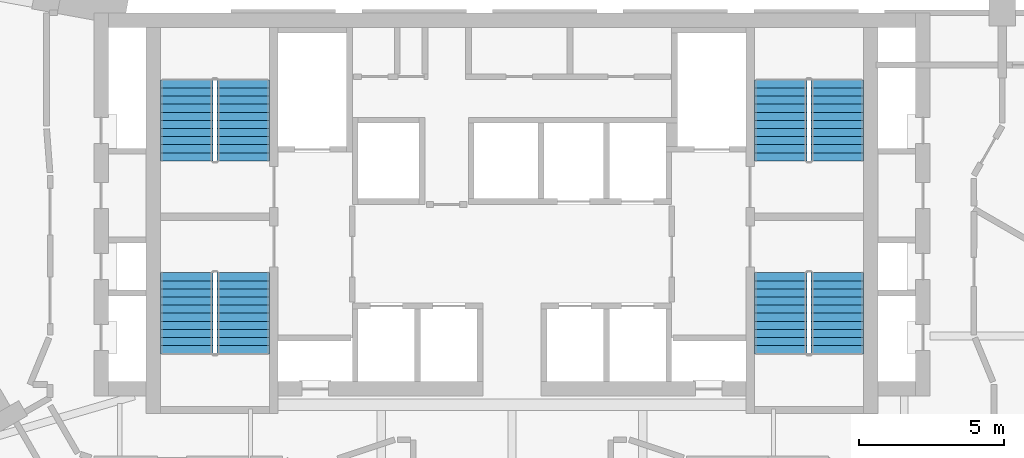
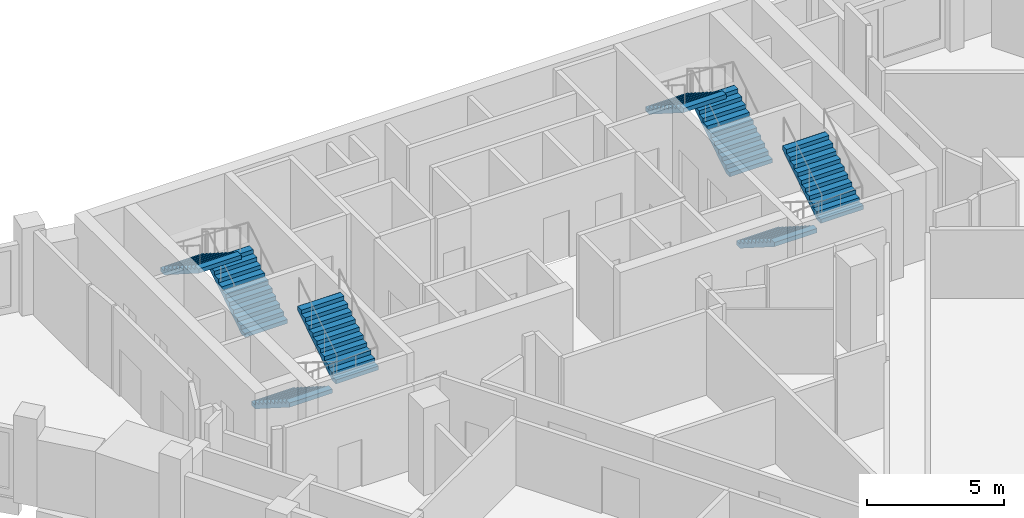
# One storey, part 8 of 9: 8 stair flights, 4 elements without a shape of their own.
"""IFC4 building model written with IfcOpenShell, lengths in metres."""

from ifc_helpers import new_model, si_unit, direction, frame, origin, place, context, subcontext, project, spatial, faceted_brep, source, transform, mapped, material, type_object, element, aggregate, save


model = new_model("IFC4")

# Units and contexts
model_context = context("Model", 3, precision=1e-05, world=origin(), true_north=direction((0.0, 1.0)))
body_context = subcontext(model_context, "Body", "Model", "MODEL_VIEW")
ifc_project = project(units=[si_unit("LENGTHUNIT", "METRE"), si_unit("AREAUNIT", "SQUARE_METRE"), si_unit("VOLUMEUNIT", "CUBIC_METRE"), si_unit("PLANEANGLEUNIT", "RADIAN"), si_unit("MASSUNIT", "GRAM", prefix="KILO")], contexts=[model_context])

# Site, building, storey
site_placement = place(None, origin())
site = spatial("IfcSite", under=ifc_project, at=site_placement, CompositionType="ELEMENT")
building_placement = place(site_placement, origin())
building = spatial("IfcBuilding", under=site, at=building_placement, Name="Calabash Gate Tower", CompositionType="ELEMENT")
storey_placement = place(building_placement, frame((0.0, 0.0, 200.300048828125)))
storey = spatial("IfcBuildingStorey", under=building, at=storey_placement, Name="L47", CompositionType="ELEMENT", Elevation=200.300048828125)

# Stair, stair flights
ifc_material_1 = material(Name="Concrete C40/50", Category="concrete")
stair_type = type_object("IfcStairType", Name="Exit stair 22 risers of 177.3 mm", PredefinedType="HALF_TURN_STAIR", material=ifc_material_1)
stair_1_placement = place(storey_placement, origin())
stair_1 = element("IfcStair", 1, at=stair_1_placement, inside=storey, type_object=stair_type, Name="L47 Exit stair ST1", PredefinedType="HALF_TURN_STAIR")
ifc_material_2 = material(Name="Concrete C40/50", Category="concrete")
stair_flight_type = type_object("IfcStairFlightType", Name="Exit stair flight SFL", PredefinedType="STRAIGHT", material=ifc_material_2)
shared_shape = source(origin(), body_context, "Body", "Brep", [
    faceted_brep([(-0.0009765625, -0.89990234375, 0.0), (0.279541015625, -0.89990234375, 0.0), (2.791015625, -0.89990234375, 1.59521484375), (-0.0009765625, 0.89990234375, 0.0), (2.791015625, 0.89990234375, 1.59521484375), (0.279541015625, 0.89990234375, 0.0), (2.791015625, -0.89990234375, 1.78466796875), (2.7900390625, -0.89990234375, 1.78466796875), (2.7900390625, 0.89990234375, 1.78466796875), (2.791015625, 0.89990234375, 1.78466796875), (2.7900390625, -0.89990234375, 1.772705078125), (2.7900390625, 0.89990234375, 1.772705078125), (2.510986328125, -0.89990234375, 1.772705078125), (2.510986328125, 0.89990234375, 1.772705078125), (2.510986328125, -0.89990234375, 1.595458984375), (2.510986328125, 0.89990234375, 1.595458984375), (2.23193359375, -0.89990234375, 1.595458984375), (2.23193359375, 0.89990234375, 1.595458984375), (2.23193359375, -0.89990234375, 1.418212890625), (2.23193359375, 0.89990234375, 1.418212890625), (1.952880859375, -0.89990234375, 1.418212890625), (1.952880859375, -0.89990234375, 1.240966796875), (1.952880859375, 0.89990234375, 1.240966796875), (1.952880859375, 0.89990234375, 1.418212890625), (1.674072265625, -0.89990234375, 1.240966796875), (1.674072265625, -0.89990234375, 1.063720703125), (1.674072265625, 0.89990234375, 1.063720703125), (1.674072265625, 0.89990234375, 1.240966796875), (1.39501953125, -0.89990234375, 1.063720703125), (1.39501953125, -0.89990234375, 0.886474609375), (1.39501953125, 0.89990234375, 0.886474609375), (1.39501953125, 0.89990234375, 1.063720703125), (1.115966796875, -0.89990234375, 0.886474609375), (1.115966796875, -0.89990234375, 0.708984375), (1.115966796875, 0.89990234375, 0.708984375), (1.115966796875, 0.89990234375, 0.886474609375), (0.8369140625, -0.89990234375, 0.708984375), (0.8369140625, -0.89990234375, 0.53173828125), (0.8369140625, 0.89990234375, 0.53173828125), (0.8369140625, 0.89990234375, 0.708984375), (0.55810546875, -0.89990234375, 0.53173828125), (0.55810546875, -0.89990234375, 0.3544921875), (0.55810546875, 0.89990234375, 0.3544921875), (0.55810546875, 0.89990234375, 0.53173828125), (0.279052734375, -0.89990234375, 0.3544921875), (0.279052734375, -0.89990234375, 0.17724609375), (0.279052734375, 0.89990234375, 0.17724609375), (0.279052734375, 0.89990234375, 0.3544921875), (-0.0009765625, -0.89990234375, 0.17724609375), (-0.0009765625, 0.89990234375, 0.17724609375), (0.279541015625, -0.360107421875, 0.0), (2.791015625, -0.360107421875, 1.59521484375), (0.279541015625, 0.0, 0.0), (2.791015625, 0.0, 1.59521484375), (0.279541015625, 0.360107421875, 0.0), (2.791015625, 0.360107421875, 1.59521484375), (2.791015625, -0.360107421875, 1.78466796875), (2.791015625, 0.0, 1.78466796875), (2.791015625, 0.360107421875, 1.78466796875), (2.7900390625, -0.360107421875, 1.78466796875), (2.7900390625, 0.0, 1.78466796875), (2.7900390625, 0.360107421875, 1.78466796875), (2.7900390625, -0.360107421875, 1.772705078125), (2.7900390625, 0.0, 1.772705078125), (2.7900390625, 0.360107421875, 1.772705078125), (2.510986328125, -0.360107421875, 1.772705078125), (2.510986328125, 0.0, 1.772705078125), (2.510986328125, 0.360107421875, 1.772705078125), (2.510986328125, -0.360107421875, 1.595458984375), (2.510986328125, 0.0, 1.595458984375), (2.510986328125, 0.360107421875, 1.595458984375), (2.23193359375, -0.360107421875, 1.595458984375), (2.23193359375, 0.0, 1.595458984375), (2.23193359375, 0.360107421875, 1.595458984375), (2.23193359375, -0.360107421875, 1.418212890625), (2.23193359375, 0.0, 1.418212890625), (2.23193359375, 0.360107421875, 1.418212890625), (1.952880859375, -0.360107421875, 1.418212890625), (1.952880859375, 0.0, 1.418212890625), (1.952880859375, 0.360107421875, 1.418212890625), (1.952880859375, -0.360107421875, 1.240966796875), (1.952880859375, 0.0, 1.240966796875), (1.952880859375, 0.360107421875, 1.240966796875), (1.674072265625, -0.360107421875, 1.240966796875), (1.674072265625, 0.0, 1.240966796875), (1.674072265625, 0.360107421875, 1.240966796875), (1.674072265625, -0.360107421875, 1.063720703125), (1.674072265625, 0.0, 1.063720703125), (1.674072265625, 0.360107421875, 1.063720703125), (1.39501953125, -0.360107421875, 1.063720703125), (1.39501953125, 0.0, 1.063720703125), (1.39501953125, 0.360107421875, 1.063720703125), (1.39501953125, -0.360107421875, 0.886474609375), (1.39501953125, 0.0, 0.886474609375), (1.39501953125, 0.360107421875, 0.886474609375), (1.115966796875, -0.360107421875, 0.886474609375), (1.115966796875, 0.0, 0.886474609375), (1.115966796875, 0.360107421875, 0.886474609375), (1.115966796875, -0.360107421875, 0.708984375), (1.115966796875, 0.0, 0.708984375), (1.115966796875, 0.360107421875, 0.708984375), (0.8369140625, -0.360107421875, 0.708984375), (0.8369140625, 0.0, 0.708984375), (0.8369140625, 0.360107421875, 0.708984375), (0.8369140625, -0.360107421875, 0.53173828125), (0.8369140625, 0.0, 0.53173828125), (0.8369140625, 0.360107421875, 0.53173828125), (0.55810546875, -0.360107421875, 0.53173828125), (0.55810546875, 0.0, 0.53173828125), (0.55810546875, 0.360107421875, 0.53173828125), (0.55810546875, -0.360107421875, 0.3544921875), (0.55810546875, 0.0, 0.3544921875), (0.55810546875, 0.360107421875, 0.3544921875), (0.279052734375, -0.360107421875, 0.3544921875), (0.279052734375, 0.0, 0.3544921875), (0.279052734375, 0.360107421875, 0.3544921875), (0.279052734375, -0.360107421875, 0.17724609375), (0.279052734375, 0.0, 0.17724609375), (0.279052734375, 0.360107421875, 0.17724609375), (-0.0009765625, -0.360107421875, 0.17724609375), (-0.0009765625, 0.0, 0.17724609375), (-0.0009765625, 0.360107421875, 0.17724609375), (-0.0009765625, -0.360107421875, 0.0), (-0.0009765625, 0.0, 0.0), (-0.0009765625, 0.360107421875, 0.0)], [[[0, 1, 2]], [[3, 4, 5]], [[2, 6, 7]], [[4, 8, 9]], [[2, 7, 10]], [[4, 11, 8]], [[2, 10, 12]], [[4, 13, 11]], [[2, 12, 14]], [[4, 15, 13]], [[2, 14, 16]], [[4, 17, 15]], [[2, 16, 18]], [[4, 19, 17]], [[18, 20, 21]], [[19, 22, 23]], [[2, 18, 21]], [[4, 22, 19]], [[21, 24, 25]], [[22, 26, 27]], [[2, 21, 25]], [[4, 26, 22]], [[25, 28, 29]], [[26, 30, 31]], [[2, 25, 29]], [[4, 30, 26]], [[29, 32, 33]], [[30, 34, 35]], [[2, 29, 33]], [[4, 34, 30]], [[33, 36, 37]], [[34, 38, 39]], [[2, 33, 37]], [[4, 38, 34]], [[37, 40, 41]], [[38, 42, 43]], [[2, 37, 41]], [[4, 42, 38]], [[41, 44, 45]], [[42, 46, 47]], [[2, 41, 45]], [[4, 46, 42]], [[0, 2, 45]], [[3, 46, 4]], [[45, 48, 0]], [[46, 3, 49]], [[1, 50, 2]], [[50, 51, 2]], [[50, 52, 51]], [[52, 53, 51]], [[52, 54, 55]], [[52, 55, 53]], [[54, 5, 4]], [[54, 4, 55]], [[2, 51, 6]], [[51, 56, 6]], [[51, 53, 56]], [[53, 57, 56]], [[53, 55, 58]], [[53, 58, 57]], [[55, 4, 9]], [[55, 9, 58]], [[6, 56, 7]], [[56, 59, 7]], [[56, 57, 59]], [[57, 60, 59]], [[57, 58, 61]], [[57, 61, 60]], [[58, 9, 8]], [[58, 8, 61]], [[7, 59, 10]], [[59, 62, 10]], [[59, 60, 62]], [[60, 63, 62]], [[60, 61, 64]], [[60, 64, 63]], [[61, 8, 11]], [[61, 11, 64]], [[10, 62, 12]], [[62, 65, 12]], [[62, 63, 65]], [[63, 66, 65]], [[63, 64, 67]], [[63, 67, 66]], [[64, 11, 13]], [[64, 13, 67]], [[12, 65, 14]], [[65, 68, 14]], [[65, 66, 68]], [[66, 69, 68]], [[66, 67, 70]], [[66, 70, 69]], [[67, 13, 15]], [[67, 15, 70]], [[14, 68, 16]], [[68, 71, 16]], [[68, 69, 71]], [[69, 72, 71]], [[69, 70, 73]], [[69, 73, 72]], [[70, 15, 17]], [[70, 17, 73]], [[16, 71, 18]], [[71, 74, 18]], [[71, 72, 74]], [[72, 75, 74]], [[72, 73, 76]], [[72, 76, 75]], [[73, 17, 19]], [[73, 19, 76]], [[18, 74, 20]], [[74, 77, 20]], [[74, 75, 77]], [[75, 78, 77]], [[75, 76, 79]], [[75, 79, 78]], [[76, 19, 23]], [[76, 23, 79]], [[20, 77, 21]], [[77, 80, 21]], [[77, 78, 80]], [[78, 81, 80]], [[78, 79, 82]], [[78, 82, 81]], [[79, 23, 22]], [[79, 22, 82]], [[21, 80, 24]], [[80, 83, 24]], [[80, 81, 83]], [[81, 84, 83]], [[81, 82, 85]], [[81, 85, 84]], [[82, 22, 27]], [[82, 27, 85]], [[24, 83, 25]], [[83, 86, 25]], [[83, 84, 86]], [[84, 87, 86]], [[84, 85, 88]], [[84, 88, 87]], [[85, 27, 26]], [[85, 26, 88]], [[25, 86, 28]], [[86, 89, 28]], [[86, 87, 89]], [[87, 90, 89]], [[87, 88, 91]], [[87, 91, 90]], [[88, 26, 31]], [[88, 31, 91]], [[28, 89, 29]], [[89, 92, 29]], [[89, 90, 92]], [[90, 93, 92]], [[90, 91, 94]], [[90, 94, 93]], [[91, 31, 30]], [[91, 30, 94]], [[29, 92, 32]], [[92, 95, 32]], [[92, 93, 95]], [[93, 96, 95]], [[93, 94, 97]], [[93, 97, 96]], [[94, 30, 35]], [[94, 35, 97]], [[32, 95, 33]], [[95, 98, 33]], [[95, 96, 98]], [[96, 99, 98]], [[96, 97, 100]], [[96, 100, 99]], [[97, 35, 34]], [[97, 34, 100]], [[33, 98, 36]], [[98, 101, 36]], [[98, 99, 101]], [[99, 102, 101]], [[99, 100, 103]], [[99, 103, 102]], [[100, 34, 39]], [[100, 39, 103]], [[36, 101, 37]], [[101, 104, 37]], [[101, 102, 104]], [[102, 105, 104]], [[102, 103, 106]], [[102, 106, 105]], [[103, 39, 38]], [[103, 38, 106]], [[37, 104, 40]], [[104, 107, 40]], [[104, 105, 107]], [[105, 108, 107]], [[105, 106, 109]], [[105, 109, 108]], [[106, 38, 43]], [[106, 43, 109]], [[40, 107, 41]], [[107, 110, 41]], [[107, 108, 110]], [[108, 111, 110]], [[108, 109, 112]], [[108, 112, 111]], [[109, 43, 42]], [[109, 42, 112]], [[41, 110, 44]], [[110, 113, 44]], [[110, 111, 113]], [[111, 114, 113]], [[111, 112, 115]], [[111, 115, 114]], [[112, 42, 47]], [[112, 47, 115]], [[44, 113, 45]], [[113, 116, 45]], [[113, 114, 116]], [[114, 117, 116]], [[114, 115, 118]], [[114, 118, 117]], [[115, 47, 46]], [[115, 46, 118]], [[45, 116, 48]], [[116, 119, 48]], [[116, 117, 119]], [[117, 120, 119]], [[117, 118, 121]], [[117, 121, 120]], [[118, 46, 49]], [[118, 49, 121]], [[48, 119, 0]], [[119, 122, 0]], [[119, 120, 122]], [[120, 123, 122]], [[120, 121, 124]], [[120, 124, 123]], [[121, 49, 3]], [[121, 3, 124]], [[0, 122, 1]], [[122, 50, 1]], [[122, 123, 50]], [[123, 52, 50]], [[123, 124, 54]], [[123, 54, 52]], [[124, 3, 5]], [[124, 5, 54]]]),
])
stair_flight_1_placement = place(storey_placement, frame((-9.25, 13.95263671875, 0.0), z_axis=(0.0, 0.0, 1.0), x_axis=(0.0, 1.0, 0.0)))
stair_flight_1 = element("IfcStairFlight", 2, at=stair_flight_1_placement, type_object=stair_flight_type, Name="ST1 flight 1", NumberOfRisers=11, NumberOfTreads=10, PredefinedType="STRAIGHT", RiserHeight=0.177272727, TreadLength=0.279, context=body_context, shape_type="MappedRepresentation", body=[
    mapped(shared_shape, transform((0.0, 0.0, 0.0), scale=1.0)),
])
stair_flight_2_placement = place(storey_placement, frame((-11.199951171875, 16.74267578125, 1.949951171875), z_axis=(0.0, 0.0, 1.0), x_axis=(0.0, -1.0, 0.0)))
stair_flight_2 = element("IfcStairFlight", 3, at=stair_flight_2_placement, type_object=stair_flight_type, Name="ST1 flight 2", NumberOfRisers=11, NumberOfTreads=10, PredefinedType="STRAIGHT", RiserHeight=0.177272727, TreadLength=0.279, context=body_context, shape_type="MappedRepresentation", body=[
    mapped(shared_shape, transform((0.0, 0.0, 0.0), scale=1.0)),
])
aggregate(stair_1, [stair_flight_1, stair_flight_2])

stair_2_placement = place(storey_placement, origin())
stair_2 = element("IfcStair", 4, at=stair_2_placement, inside=storey, type_object=stair_type, Name="L47 Exit stair ST2", PredefinedType="HALF_TURN_STAIR")
stair_flight_3_placement = place(storey_placement, frame((-11.199951171875, 10.1025390625, 0.0), z_axis=(0.0, 0.0, 1.0), x_axis=(0.0, -1.0, 0.0)))
stair_flight_3 = element("IfcStairFlight", 5, at=stair_flight_3_placement, type_object=stair_flight_type, Name="ST2 flight 1", NumberOfRisers=11, NumberOfTreads=10, PredefinedType="STRAIGHT", RiserHeight=0.177272727, TreadLength=0.279, context=body_context, shape_type="MappedRepresentation", body=[
    mapped(shared_shape, transform((0.0, 0.0, 0.0), scale=1.0)),
])
stair_flight_4_placement = place(storey_placement, frame((-9.25, 7.3125, 1.949951171875), z_axis=(0.0, 0.0, 1.0), x_axis=(0.0, 1.0, 0.0)))
stair_flight_4 = element("IfcStairFlight", 6, at=stair_flight_4_placement, type_object=stair_flight_type, Name="ST2 flight 2", NumberOfRisers=11, NumberOfTreads=10, PredefinedType="STRAIGHT", RiserHeight=0.177272727, TreadLength=0.279, context=body_context, shape_type="MappedRepresentation", body=[
    mapped(shared_shape, transform((0.0, 0.0, 0.0), scale=1.0)),
])
aggregate(stair_2, [stair_flight_3, stair_flight_4])

stair_3_placement = place(storey_placement, origin())
stair_3 = element("IfcStair", 7, at=stair_3_placement, inside=storey, type_object=stair_type, Name="L47 Exit stair ST3", PredefinedType="HALF_TURN_STAIR")
stair_flight_5_placement = place(storey_placement, frame((11.199951171875, 13.95263671875, 0.0), z_axis=(0.0, 0.0, 1.0), x_axis=(0.0, 1.0, 0.0)))
stair_flight_5 = element("IfcStairFlight", 8, at=stair_flight_5_placement, type_object=stair_flight_type, Name="ST3 flight 1", NumberOfRisers=11, NumberOfTreads=10, PredefinedType="STRAIGHT", RiserHeight=0.177272727, TreadLength=0.279, context=body_context, shape_type="MappedRepresentation", body=[
    mapped(shared_shape, transform((0.0, 0.0, 0.0), scale=1.0)),
])
stair_flight_6_placement = place(storey_placement, frame((9.25, 16.74267578125, 1.949951171875), z_axis=(0.0, 0.0, 1.0), x_axis=(0.0, -1.0, 0.0)))
stair_flight_6 = element("IfcStairFlight", 9, at=stair_flight_6_placement, type_object=stair_flight_type, Name="ST3 flight 2", NumberOfRisers=11, NumberOfTreads=10, PredefinedType="STRAIGHT", RiserHeight=0.177272727, TreadLength=0.279, context=body_context, shape_type="MappedRepresentation", body=[
    mapped(shared_shape, transform((0.0, 0.0, 0.0), scale=1.0)),
])
aggregate(stair_3, [stair_flight_5, stair_flight_6])

stair_4_placement = place(storey_placement, origin())
stair_4 = element("IfcStair", 10, at=stair_4_placement, inside=storey, type_object=stair_type, Name="L47 Exit stair ST4", PredefinedType="HALF_TURN_STAIR")
stair_flight_7_placement = place(storey_placement, frame((9.25, 10.1025390625, 0.0), z_axis=(0.0, 0.0, 1.0), x_axis=(0.0, -1.0, 0.0)))
stair_flight_7 = element("IfcStairFlight", 11, at=stair_flight_7_placement, type_object=stair_flight_type, Name="ST4 flight 1", NumberOfRisers=11, NumberOfTreads=10, PredefinedType="STRAIGHT", RiserHeight=0.177272727, TreadLength=0.279, context=body_context, shape_type="MappedRepresentation", body=[
    mapped(shared_shape, transform((0.0, 0.0, 0.0), scale=1.0)),
])
stair_flight_8_placement = place(storey_placement, frame((11.199951171875, 7.3125, 1.949951171875), z_axis=(0.0, 0.0, 1.0), x_axis=(0.0, 1.0, 0.0)))
stair_flight_8 = element("IfcStairFlight", 12, at=stair_flight_8_placement, type_object=stair_flight_type, Name="ST4 flight 2", NumberOfRisers=11, NumberOfTreads=10, PredefinedType="STRAIGHT", RiserHeight=0.177272727, TreadLength=0.279, context=body_context, shape_type="MappedRepresentation", body=[
    mapped(shared_shape, transform((0.0, 0.0, 0.0), scale=1.0)),
])
aggregate(stair_4, [stair_flight_7, stair_flight_8])

save(model, "model.ifc")
